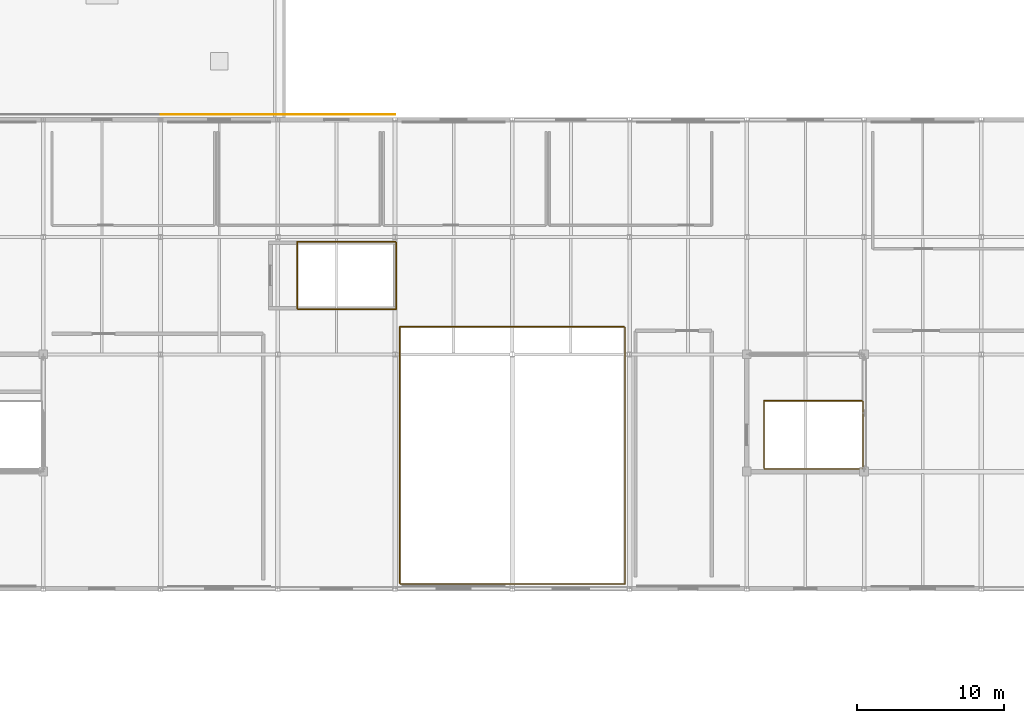
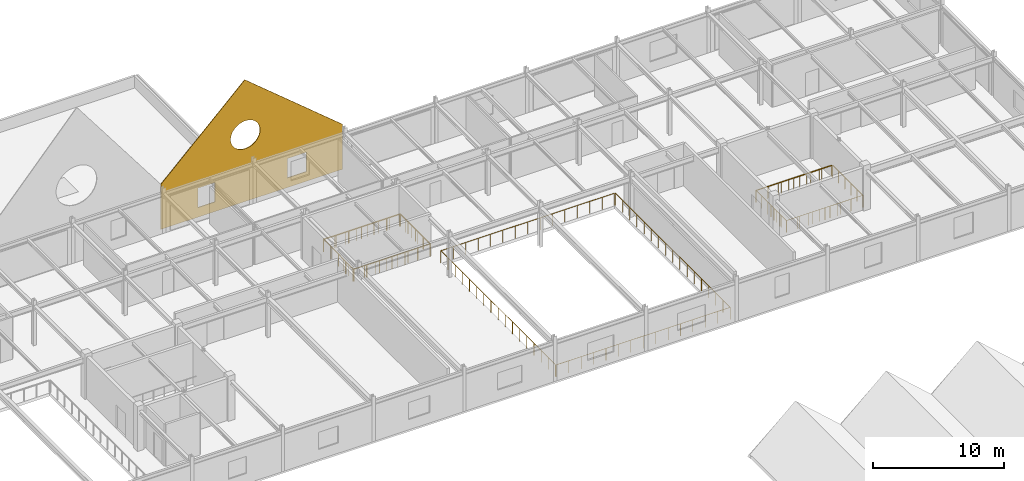
# One storey, part 88 of 88: 8 railings, 1 covering, 3 openings.
"""IFC4 building model written with IfcOpenShell, lengths in metres."""

from ifc_helpers import new_model, si_unit, direction, frame, frame_2d, origin, origin_2d, place, context, subcontext, project, spatial, polyline, rectangle, circle, outline, extrude, material, layer, layer_set, type_object, element, save


model = new_model("IFC4")

# Units and contexts
model_context = context("Model", 3, precision=1e-05, world=origin(), true_north=direction((0.0, 1.0)))
body_context = subcontext(model_context, "Body", "Model", "MODEL_VIEW")
ifc_project = project(units=[si_unit("LENGTHUNIT", "METRE"), si_unit("AREAUNIT", "SQUARE_METRE"), si_unit("VOLUMEUNIT", "CUBIC_METRE"), si_unit("PLANEANGLEUNIT", "RADIAN"), si_unit("MASSUNIT", "GRAM", prefix="KILO")], contexts=[model_context])

# Site, building, storey
site_placement = place(None, origin())
site = spatial("IfcSite", under=ifc_project, at=site_placement, CompositionType="ELEMENT")
building_placement = place(site_placement, origin())
building = spatial("IfcBuilding", under=site, at=building_placement, Name="Zhaolan Boulevard Law Courts", CompositionType="ELEMENT")
storey_placement = place(building_placement, frame((0.0, 0.0, 16.199951171875)))
storey = spatial("IfcBuildingStorey", under=building, at=storey_placement, Name="L03", CompositionType="ELEMENT", Elevation=16.199951171875)

# Railings
ifc_material_1 = material(Name="Powder-coated steel and tempered laminated glass", Category="steel")
railing_type_1 = type_object("IfcRailingType", Name="INTERIOR GUARDRAIL 1150", PredefinedType="GUARDRAIL", material=ifc_material_1)
railing_1_placement = place(storey_placement, frame((141.2099609375, 70.169921875, 0.0)))
element("IfcRailing", 1, at=railing_1_placement, inside=storey, type_object=railing_type_1, Name="Atrium Gallery Guardrail VG-3-V2-3A", PredefinedType="GUARDRAIL", context=body_context, shape_type="SweptSolid", body=[
    extrude(circle(Radius=0.02490234375, at=origin_2d()), frame((0.0, 0.0, 1.125), z_axis=(1.0, 0.0, 0.0), x_axis=(0.0, 1.0, 0.0)), (0.0, 0.0, 1.0), 6.719970703125),
    extrude(circle(Radius=0.02490234375, at=origin_2d()), frame((6.719970703125, 0.0, 1.125), z_axis=(0.0, 1.0, 0.0), x_axis=(-1.0, 0.0, 0.0)), (0.0, 0.0, 1.0), 4.6201171875),
    extrude(circle(Radius=0.02099609375, at=origin_2d()), origin(), (0.0, 0.0, 1.0), 1.099853515625),
    extrude(circle(Radius=0.02099609375, at=origin_2d()), frame((1.1201171875, 0.0, 0.0)), (0.0, 0.0, 1.0), 1.099853515625),
    extrude(circle(Radius=0.02099609375, at=origin_2d()), frame((2.239990234375, 0.0, 0.0)), (0.0, 0.0, 1.0), 1.099853515625),
    extrude(circle(Radius=0.02099609375, at=origin_2d()), frame((3.35986328125, 0.0, 0.0)), (0.0, 0.0, 1.0), 1.099853515625),
    extrude(circle(Radius=0.02099609375, at=origin_2d()), frame((4.47998046875, 0.0, 0.0)), (0.0, 0.0, 1.0), 1.099853515625),
    extrude(circle(Radius=0.02099609375, at=origin_2d()), frame((5.60009765625, 0.0, 0.0)), (0.0, 0.0, 1.0), 1.099853515625),
    extrude(circle(Radius=0.02099609375, at=origin_2d()), frame((6.719970703125, 0.0, 0.0)), (0.0, 0.0, 1.0), 1.099853515625),
    extrude(circle(Radius=0.02099609375, at=origin_2d()), frame((6.719970703125, 0.924072265625, 0.0)), (0.0, 0.0, 1.0), 1.099853515625),
    extrude(circle(Radius=0.02099609375, at=origin_2d()), frame((6.719970703125, 1.84814453125, 0.0)), (0.0, 0.0, 1.0), 1.099853515625),
    extrude(circle(Radius=0.02099609375, at=origin_2d()), frame((6.719970703125, 2.77197265625, 0.0)), (0.0, 0.0, 1.0), 1.099853515625),
    extrude(circle(Radius=0.02099609375, at=origin_2d()), frame((6.719970703125, 3.696044921875, 0.0)), (0.0, 0.0, 1.0), 1.099853515625),
    extrude(circle(Radius=0.02099609375, at=origin_2d()), frame((6.719970703125, 4.6201171875, 0.0)), (0.0, 0.0, 1.0), 1.099853515625),
])
railing_2_placement = place(storey_placement, frame((147.8701171875, 74.830078125, 0.0)))
element("IfcRailing", 2, at=railing_2_placement, inside=storey, type_object=railing_type_1, Name="Atrium Gallery Guardrail VG-3-V2-3B", PredefinedType="GUARDRAIL", context=body_context, shape_type="SweptSolid", body=[
    extrude(circle(Radius=0.02490234375, at=origin_2d()), frame((0.0, 0.0, 1.125), z_axis=(-1.0, 0.0, 0.0), x_axis=(0.0, -1.0, 0.0)), (0.0, 0.0, 1.0), 6.7001953125),
    extrude(circle(Radius=0.02490234375, at=origin_2d()), frame((-6.7001953125, 0.0, 1.125), z_axis=(0.0, -1.0, 0.0), x_axis=(1.0, 0.0, 0.0)), (0.0, 0.0, 1.0), 4.60009765625),
    extrude(circle(Radius=0.02099609375, at=origin_2d()), origin(), (0.0, 0.0, 1.0), 1.099853515625),
    extrude(circle(Radius=0.02099609375, at=origin_2d()), frame((-1.11669921875, 0.0, 0.0)), (0.0, 0.0, 1.0), 1.099853515625),
    extrude(circle(Radius=0.02099609375, at=origin_2d()), frame((-2.2333984375, 0.0, 0.0)), (0.0, 0.0, 1.0), 1.099853515625),
    extrude(circle(Radius=0.02099609375, at=origin_2d()), frame((-3.35009765625, 0.0, 0.0)), (0.0, 0.0, 1.0), 1.099853515625),
    extrude(circle(Radius=0.02099609375, at=origin_2d()), frame((-4.466796875, 0.0, 0.0)), (0.0, 0.0, 1.0), 1.099853515625),
    extrude(circle(Radius=0.02099609375, at=origin_2d()), frame((-5.58349609375, 0.0, 0.0)), (0.0, 0.0, 1.0), 1.099853515625),
    extrude(circle(Radius=0.02099609375, at=origin_2d()), frame((-6.7001953125, 0.0, 0.0)), (0.0, 0.0, 1.0), 1.099853515625),
    extrude(circle(Radius=0.02099609375, at=origin_2d()), frame((-6.7001953125, -0.919921875, 0.0)), (0.0, 0.0, 1.0), 1.099853515625),
    extrude(circle(Radius=0.02099609375, at=origin_2d()), frame((-6.7001953125, -1.840087890625, 0.0)), (0.0, 0.0, 1.0), 1.099853515625),
    extrude(circle(Radius=0.02099609375, at=origin_2d()), frame((-6.7001953125, -2.760009765625, 0.0)), (0.0, 0.0, 1.0), 1.099853515625),
    extrude(circle(Radius=0.02099609375, at=origin_2d()), frame((-6.7001953125, -3.68017578125, 0.0)), (0.0, 0.0, 1.0), 1.099853515625),
    extrude(circle(Radius=0.02099609375, at=origin_2d()), frame((-6.7001953125, -4.60009765625, 0.0)), (0.0, 0.0, 1.0), 1.099853515625),
])
railing_3_placement = place(storey_placement, frame((109.360107421875, 81.070068359375, 0.0)))
element("IfcRailing", 3, at=railing_3_placement, inside=storey, type_object=railing_type_1, Name="Atrium Gallery Guardrail VG-3-V2-4A", PredefinedType="GUARDRAIL", context=body_context, shape_type="SweptSolid", body=[
    extrude(circle(Radius=0.02490234375, at=origin_2d()), frame((0.0, 0.0, 1.125), z_axis=(1.0, 0.0, 0.0), x_axis=(0.0, 1.0, 0.0)), (0.0, 0.0, 1.0), 6.719970703125),
    extrude(circle(Radius=0.02490234375, at=origin_2d()), frame((6.719970703125, 0.0, 1.125), z_axis=(0.0, 1.0, 0.0), x_axis=(-1.0, 0.0, 0.0)), (0.0, 0.0, 1.0), 4.56982421875),
    extrude(circle(Radius=0.02099609375, at=origin_2d()), origin(), (0.0, 0.0, 1.0), 1.099853515625),
    extrude(circle(Radius=0.02099609375, at=origin_2d()), frame((1.1201171875, 0.0, 0.0)), (0.0, 0.0, 1.0), 1.099853515625),
    extrude(circle(Radius=0.02099609375, at=origin_2d()), frame((2.239990234375, 0.0, 0.0)), (0.0, 0.0, 1.0), 1.099853515625),
    extrude(circle(Radius=0.02099609375, at=origin_2d()), frame((3.35986328125, 0.0, 0.0)), (0.0, 0.0, 1.0), 1.099853515625),
    extrude(circle(Radius=0.02099609375, at=origin_2d()), frame((4.47998046875, 0.0, 0.0)), (0.0, 0.0, 1.0), 1.099853515625),
    extrude(circle(Radius=0.02099609375, at=origin_2d()), frame((5.60009765625, 0.0, 0.0)), (0.0, 0.0, 1.0), 1.099853515625),
    extrude(circle(Radius=0.02099609375, at=origin_2d()), frame((6.719970703125, 0.0, 0.0)), (0.0, 0.0, 1.0), 1.099853515625),
    extrude(circle(Radius=0.02099609375, at=origin_2d()), frame((6.719970703125, 1.142578125, 0.0)), (0.0, 0.0, 1.0), 1.099853515625),
    extrude(circle(Radius=0.02099609375, at=origin_2d()), frame((6.719970703125, 2.284912109375, 0.0)), (0.0, 0.0, 1.0), 1.099853515625),
    extrude(circle(Radius=0.02099609375, at=origin_2d()), frame((6.719970703125, 3.42724609375, 0.0)), (0.0, 0.0, 1.0), 1.099853515625),
    extrude(circle(Radius=0.02099609375, at=origin_2d()), frame((6.719970703125, 4.56982421875, 0.0)), (0.0, 0.0, 1.0), 1.099853515625),
])
railing_4_placement = place(storey_placement, frame((116.02001953125, 85.679931640625, 0.0)))
element("IfcRailing", 4, at=railing_4_placement, inside=storey, type_object=railing_type_1, Name="Atrium Gallery Guardrail VG-3-V2-4B", PredefinedType="GUARDRAIL", context=body_context, shape_type="SweptSolid", body=[
    extrude(circle(Radius=0.02490234375, at=origin_2d()), frame((0.0, 0.0, 1.125), z_axis=(-1.0, 0.0, 0.0), x_axis=(0.0, -1.0, 0.0)), (0.0, 0.0, 1.0), 6.699951171875),
    extrude(circle(Radius=0.02490234375, at=origin_2d()), frame((-6.699951171875, 0.0, 1.125), z_axis=(0.0, -1.0, 0.0), x_axis=(1.0, 0.0, 0.0)), (0.0, 0.0, 1.0), 4.550048828125),
    extrude(circle(Radius=0.02099609375, at=origin_2d()), origin(), (0.0, 0.0, 1.0), 1.099853515625),
    extrude(circle(Radius=0.02099609375, at=origin_2d()), frame((-1.11669921875, 0.0, 0.0)), (0.0, 0.0, 1.0), 1.099853515625),
    extrude(circle(Radius=0.02099609375, at=origin_2d()), frame((-2.2333984375, 0.0, 0.0)), (0.0, 0.0, 1.0), 1.099853515625),
    extrude(circle(Radius=0.02099609375, at=origin_2d()), frame((-3.35009765625, 0.0, 0.0)), (0.0, 0.0, 1.0), 1.099853515625),
    extrude(circle(Radius=0.02099609375, at=origin_2d()), frame((-4.466552734375, 0.0, 0.0)), (0.0, 0.0, 1.0), 1.099853515625),
    extrude(circle(Radius=0.02099609375, at=origin_2d()), frame((-5.583251953125, 0.0, 0.0)), (0.0, 0.0, 1.0), 1.099853515625),
    extrude(circle(Radius=0.02099609375, at=origin_2d()), frame((-6.699951171875, 0.0, 0.0)), (0.0, 0.0, 1.0), 1.099853515625),
    extrude(circle(Radius=0.02099609375, at=origin_2d()), frame((-6.699951171875, -1.137451171875, 0.0)), (0.0, 0.0, 1.0), 1.099853515625),
    extrude(circle(Radius=0.02099609375, at=origin_2d()), frame((-6.699951171875, -2.27490234375, 0.0)), (0.0, 0.0, 1.0), 1.099853515625),
    extrude(circle(Radius=0.02099609375, at=origin_2d()), frame((-6.699951171875, -3.41259765625, 0.0)), (0.0, 0.0, 1.0), 1.099853515625),
    extrude(circle(Radius=0.02099609375, at=origin_2d()), frame((-6.699951171875, -4.550048828125, 0.0)), (0.0, 0.0, 1.0), 1.099853515625),
])
railing_5_placement = place(storey_placement, frame((116.360107421875, 62.320068359375, 0.0)))
element("IfcRailing", 5, at=railing_5_placement, inside=storey, type_object=railing_type_1, Name="Atrium Gallery Guardrail VG-3-V2-6A", PredefinedType="GUARDRAIL", context=body_context, shape_type="SweptSolid", body=[
    extrude(circle(Radius=0.02490234375, at=origin_2d()), frame((0.0, 0.0, 1.125), z_axis=(1.0, 0.0, 0.0), x_axis=(0.0, 1.0, 0.0)), (0.0, 0.0, 1.0), 15.31982421875),
    extrude(circle(Radius=0.02490234375, at=origin_2d()), frame((15.31982421875, 0.0, 1.125), z_axis=(0.0, 1.0, 0.0), x_axis=(-1.0, 0.0, 0.0)), (0.0, 0.0, 1.0), 17.52001953125),
    extrude(circle(Radius=0.02099609375, at=origin_2d()), origin(), (0.0, 0.0, 1.0), 1.099853515625),
    extrude(circle(Radius=0.02099609375, at=origin_2d()), frame((1.09423828125, 0.0, 0.0)), (0.0, 0.0, 1.0), 1.099853515625),
    extrude(circle(Radius=0.02099609375, at=origin_2d()), frame((2.1884765625, 0.0, 0.0)), (0.0, 0.0, 1.0), 1.099853515625),
    extrude(circle(Radius=0.02099609375, at=origin_2d()), frame((3.28271484375, 0.0, 0.0)), (0.0, 0.0, 1.0), 1.099853515625),
    extrude(circle(Radius=0.02099609375, at=origin_2d()), frame((4.377197265625, 0.0, 0.0)), (0.0, 0.0, 1.0), 1.099853515625),
    extrude(circle(Radius=0.02099609375, at=origin_2d()), frame((5.471435546875, 0.0, 0.0)), (0.0, 0.0, 1.0), 1.099853515625),
    extrude(circle(Radius=0.02099609375, at=origin_2d()), frame((6.565673828125, 0.0, 0.0)), (0.0, 0.0, 1.0), 1.099853515625),
    extrude(circle(Radius=0.02099609375, at=origin_2d()), frame((7.659912109375, 0.0, 0.0)), (0.0, 0.0, 1.0), 1.099853515625),
    extrude(circle(Radius=0.02099609375, at=origin_2d()), frame((8.754150390625, 0.0, 0.0)), (0.0, 0.0, 1.0), 1.099853515625),
    extrude(circle(Radius=0.02099609375, at=origin_2d()), frame((9.848388671875, 0.0, 0.0)), (0.0, 0.0, 1.0), 1.099853515625),
    extrude(circle(Radius=0.02099609375, at=origin_2d()), frame((10.942626953125, 0.0, 0.0)), (0.0, 0.0, 1.0), 1.099853515625),
    extrude(circle(Radius=0.02099609375, at=origin_2d()), frame((12.037109375, 0.0, 0.0)), (0.0, 0.0, 1.0), 1.099853515625),
    extrude(circle(Radius=0.02099609375, at=origin_2d()), frame((13.13134765625, 0.0, 0.0)), (0.0, 0.0, 1.0), 1.099853515625),
    extrude(circle(Radius=0.02099609375, at=origin_2d()), frame((14.2255859375, 0.0, 0.0)), (0.0, 0.0, 1.0), 1.099853515625),
    extrude(circle(Radius=0.02099609375, at=origin_2d()), frame((15.31982421875, 0.0, 0.0)), (0.0, 0.0, 1.0), 1.099853515625),
    extrude(circle(Radius=0.02099609375, at=origin_2d()), frame((15.31982421875, 1.094970703125, 0.0)), (0.0, 0.0, 1.0), 1.099853515625),
    extrude(circle(Radius=0.02099609375, at=origin_2d()), frame((15.31982421875, 2.18994140625, 0.0)), (0.0, 0.0, 1.0), 1.099853515625),
    extrude(circle(Radius=0.02099609375, at=origin_2d()), frame((15.31982421875, 3.284912109375, 0.0)), (0.0, 0.0, 1.0), 1.099853515625),
    extrude(circle(Radius=0.02099609375, at=origin_2d()), frame((15.31982421875, 4.3798828125, 0.0)), (0.0, 0.0, 1.0), 1.099853515625),
    extrude(circle(Radius=0.02099609375, at=origin_2d()), frame((15.31982421875, 5.47509765625, 0.0)), (0.0, 0.0, 1.0), 1.099853515625),
    extrude(circle(Radius=0.02099609375, at=origin_2d()), frame((15.31982421875, 6.570068359375, 0.0)), (0.0, 0.0, 1.0), 1.099853515625),
    extrude(circle(Radius=0.02099609375, at=origin_2d()), frame((15.31982421875, 7.6650390625, 0.0)), (0.0, 0.0, 1.0), 1.099853515625),
    extrude(circle(Radius=0.02099609375, at=origin_2d()), frame((15.31982421875, 8.760009765625, 0.0)), (0.0, 0.0, 1.0), 1.099853515625),
    extrude(circle(Radius=0.02099609375, at=origin_2d()), frame((15.31982421875, 9.85498046875, 0.0)), (0.0, 0.0, 1.0), 1.099853515625),
    extrude(circle(Radius=0.02099609375, at=origin_2d()), frame((15.31982421875, 10.949951171875, 0.0)), (0.0, 0.0, 1.0), 1.099853515625),
    extrude(circle(Radius=0.02099609375, at=origin_2d()), frame((15.31982421875, 12.044921875, 0.0)), (0.0, 0.0, 1.0), 1.099853515625),
    extrude(circle(Radius=0.02099609375, at=origin_2d()), frame((15.31982421875, 13.14013671875, 0.0)), (0.0, 0.0, 1.0), 1.099853515625),
    extrude(circle(Radius=0.02099609375, at=origin_2d()), frame((15.31982421875, 14.235107421875, 0.0)), (0.0, 0.0, 1.0), 1.099853515625),
    extrude(circle(Radius=0.02099609375, at=origin_2d()), frame((15.31982421875, 15.330078125, 0.0)), (0.0, 0.0, 1.0), 1.099853515625),
    extrude(circle(Radius=0.02099609375, at=origin_2d()), frame((15.31982421875, 16.425048828125, 0.0)), (0.0, 0.0, 1.0), 1.099853515625),
    extrude(circle(Radius=0.02099609375, at=origin_2d()), frame((15.31982421875, 17.52001953125, 0.0)), (0.0, 0.0, 1.0), 1.099853515625),
])
railing_6_placement = place(storey_placement, frame((131.6201171875, 79.8798828125, 0.0)))
element("IfcRailing", 6, at=railing_6_placement, inside=storey, type_object=railing_type_1, Name="Atrium Gallery Guardrail VG-3-V2-6B", PredefinedType="GUARDRAIL", context=body_context, shape_type="SweptSolid", body=[
    extrude(circle(Radius=0.02490234375, at=origin_2d()), frame((0.0, 0.0, 1.125), z_axis=(-1.0, 0.0, 0.0), x_axis=(0.0, -1.0, 0.0)), (0.0, 0.0, 1.0), 15.300048828125),
    extrude(circle(Radius=0.02490234375, at=origin_2d()), frame((-15.300048828125, 0.0, 1.125), z_axis=(0.0, -1.0, 0.0), x_axis=(1.0, 0.0, 0.0)), (0.0, 0.0, 1.0), 17.5),
    extrude(circle(Radius=0.02099609375, at=origin_2d()), origin(), (0.0, 0.0, 1.0), 1.099853515625),
    extrude(circle(Radius=0.02099609375, at=origin_2d()), frame((-1.0927734375, 0.0, 0.0)), (0.0, 0.0, 1.0), 1.099853515625),
    extrude(circle(Radius=0.02099609375, at=origin_2d()), frame((-2.185791015625, 0.0, 0.0)), (0.0, 0.0, 1.0), 1.099853515625),
    extrude(circle(Radius=0.02099609375, at=origin_2d()), frame((-3.278564453125, 0.0, 0.0)), (0.0, 0.0, 1.0), 1.099853515625),
    extrude(circle(Radius=0.02099609375, at=origin_2d()), frame((-4.371337890625, 0.0, 0.0)), (0.0, 0.0, 1.0), 1.099853515625),
    extrude(circle(Radius=0.02099609375, at=origin_2d()), frame((-5.46435546875, 0.0, 0.0)), (0.0, 0.0, 1.0), 1.099853515625),
    extrude(circle(Radius=0.02099609375, at=origin_2d()), frame((-6.55712890625, 0.0, 0.0)), (0.0, 0.0, 1.0), 1.099853515625),
    extrude(circle(Radius=0.02099609375, at=origin_2d()), frame((-7.64990234375, 0.0, 0.0)), (0.0, 0.0, 1.0), 1.099853515625),
    extrude(circle(Radius=0.02099609375, at=origin_2d()), frame((-8.742919921875, 0.0, 0.0)), (0.0, 0.0, 1.0), 1.099853515625),
    extrude(circle(Radius=0.02099609375, at=origin_2d()), frame((-9.835693359375, 0.0, 0.0)), (0.0, 0.0, 1.0), 1.099853515625),
    extrude(circle(Radius=0.02099609375, at=origin_2d()), frame((-10.9287109375, 0.0, 0.0)), (0.0, 0.0, 1.0), 1.099853515625),
    extrude(circle(Radius=0.02099609375, at=origin_2d()), frame((-12.021484375, 0.0, 0.0)), (0.0, 0.0, 1.0), 1.099853515625),
    extrude(circle(Radius=0.02099609375, at=origin_2d()), frame((-13.1142578125, 0.0, 0.0)), (0.0, 0.0, 1.0), 1.099853515625),
    extrude(circle(Radius=0.02099609375, at=origin_2d()), frame((-14.207275390625, 0.0, 0.0)), (0.0, 0.0, 1.0), 1.099853515625),
    extrude(circle(Radius=0.02099609375, at=origin_2d()), frame((-15.300048828125, 0.0, 0.0)), (0.0, 0.0, 1.0), 1.099853515625),
    extrude(circle(Radius=0.02099609375, at=origin_2d()), frame((-15.300048828125, -1.09375, 0.0)), (0.0, 0.0, 1.0), 1.099853515625),
    extrude(circle(Radius=0.02099609375, at=origin_2d()), frame((-15.300048828125, -2.1875, 0.0)), (0.0, 0.0, 1.0), 1.099853515625),
    extrude(circle(Radius=0.02099609375, at=origin_2d()), frame((-15.300048828125, -3.28125, 0.0)), (0.0, 0.0, 1.0), 1.099853515625),
    extrude(circle(Radius=0.02099609375, at=origin_2d()), frame((-15.300048828125, -4.375, 0.0)), (0.0, 0.0, 1.0), 1.099853515625),
    extrude(circle(Radius=0.02099609375, at=origin_2d()), frame((-15.300048828125, -5.46875, 0.0)), (0.0, 0.0, 1.0), 1.099853515625),
    extrude(circle(Radius=0.02099609375, at=origin_2d()), frame((-15.300048828125, -6.5625, 0.0)), (0.0, 0.0, 1.0), 1.099853515625),
    extrude(circle(Radius=0.02099609375, at=origin_2d()), frame((-15.300048828125, -7.65625, 0.0)), (0.0, 0.0, 1.0), 1.099853515625),
    extrude(circle(Radius=0.02099609375, at=origin_2d()), frame((-15.300048828125, -8.75, 0.0)), (0.0, 0.0, 1.0), 1.099853515625),
    extrude(circle(Radius=0.02099609375, at=origin_2d()), frame((-15.300048828125, -9.84375, 0.0)), (0.0, 0.0, 1.0), 1.099853515625),
    extrude(circle(Radius=0.02099609375, at=origin_2d()), frame((-15.300048828125, -10.9375, 0.0)), (0.0, 0.0, 1.0), 1.099853515625),
    extrude(circle(Radius=0.02099609375, at=origin_2d()), frame((-15.300048828125, -12.03125, 0.0)), (0.0, 0.0, 1.0), 1.099853515625),
    extrude(circle(Radius=0.02099609375, at=origin_2d()), frame((-15.300048828125, -13.125, 0.0)), (0.0, 0.0, 1.0), 1.099853515625),
    extrude(circle(Radius=0.02099609375, at=origin_2d()), frame((-15.300048828125, -14.21875, 0.0)), (0.0, 0.0, 1.0), 1.099853515625),
    extrude(circle(Radius=0.02099609375, at=origin_2d()), frame((-15.300048828125, -15.3125, 0.0)), (0.0, 0.0, 1.0), 1.099853515625),
    extrude(circle(Radius=0.02099609375, at=origin_2d()), frame((-15.300048828125, -16.40625, 0.0)), (0.0, 0.0, 1.0), 1.099853515625),
    extrude(circle(Radius=0.02099609375, at=origin_2d()), frame((-15.300048828125, -17.5, 0.0)), (0.0, 0.0, 1.0), 1.099853515625),
])
ifc_material_2 = material(Name="Powder-coated steel baluster guardrail", Category="steel")
railing_type_2 = type_object("IfcRailingType", Name="STAIR WELL GUARDRAIL 1120", PredefinedType="GUARDRAIL", material=ifc_material_2)
railing_7_placement = place(storey_placement, frame((141.18994140625, 72.56005859375, 0.0)))
element("IfcRailing", 7, at=railing_7_placement, inside=storey, type_object=railing_type_2, Name="Stair-Well Floor Guardrail WG-ST09-L02", PredefinedType="GUARDRAIL", context=body_context, shape_type="SweptSolid", body=[
    extrude(circle(Radius=0.02392578125, at=origin_2d()), frame((0.0, 0.0, 1.09619140625), z_axis=(0.0, -1.0, 0.0), x_axis=(1.0, 0.0, 0.0)), (0.0, 0.0, 1.0), 2.360107421875),
    extrude(circle(Radius=0.02392578125, at=origin_2d()), frame((0.0, -2.360107421875, 1.09619140625), z_axis=(1.0, 0.0, 0.0), x_axis=(0.0, 1.0, 0.0)), (0.0, 0.0, 1.0), 6.7099609375),
    extrude(circle(Radius=0.02392578125, at=origin_2d()), frame((6.7099609375, -2.360107421875, 1.09619140625), z_axis=(0.0, 1.0, 0.0), x_axis=(-1.0, 0.0, 0.0)), (0.0, 0.0, 1.0), 4.60009765625),
    extrude(circle(Radius=0.02392578125, at=origin_2d()), frame((6.7099609375, 2.239990234375, 1.09619140625), z_axis=(-1.0, 0.0, 0.0), x_axis=(0.0, -1.0, 0.0)), (0.0, 0.0, 1.0), 6.7099609375),
    extrude(circle(Radius=0.02392578125, at=origin_2d()), frame((0.0, 2.239990234375, 1.09619140625), z_axis=(0.0, 1.0, 0.0), x_axis=(-1.0, 0.0, 0.0)), (0.0, 0.0, 1.0), 0.02001953125),
    extrude(circle(Radius=0.02099609375, at=origin_2d()), origin(), (0.0, 0.0, 1.0), 1.072021484375),
    extrude(circle(Radius=0.02099609375, at=origin_2d()), frame((0.0, -0.78662109375, 0.0)), (0.0, 0.0, 1.0), 1.072021484375),
    extrude(circle(Radius=0.02099609375, at=origin_2d()), frame((0.0, -1.573486328125, 0.0)), (0.0, 0.0, 1.0), 1.072021484375),
    extrude(circle(Radius=0.02099609375, at=origin_2d()), frame((0.0, -2.360107421875, 0.0)), (0.0, 0.0, 1.0), 1.072021484375),
    extrude(circle(Radius=0.02099609375, at=origin_2d()), frame((0.95849609375, -2.360107421875, 0.0)), (0.0, 0.0, 1.0), 1.072021484375),
    extrude(circle(Radius=0.02099609375, at=origin_2d()), frame((1.917236328125, -2.360107421875, 0.0)), (0.0, 0.0, 1.0), 1.072021484375),
    extrude(circle(Radius=0.02099609375, at=origin_2d()), frame((2.875732421875, -2.360107421875, 0.0)), (0.0, 0.0, 1.0), 1.072021484375),
    extrude(circle(Radius=0.02099609375, at=origin_2d()), frame((3.834228515625, -2.360107421875, 0.0)), (0.0, 0.0, 1.0), 1.072021484375),
    extrude(circle(Radius=0.02099609375, at=origin_2d()), frame((4.792724609375, -2.360107421875, 0.0)), (0.0, 0.0, 1.0), 1.072021484375),
    extrude(circle(Radius=0.02099609375, at=origin_2d()), frame((5.75146484375, -2.360107421875, 0.0)), (0.0, 0.0, 1.0), 1.072021484375),
    extrude(circle(Radius=0.02099609375, at=origin_2d()), frame((6.7099609375, -2.360107421875, 0.0)), (0.0, 0.0, 1.0), 1.072021484375),
    extrude(circle(Radius=0.02099609375, at=origin_2d()), frame((6.7099609375, -1.440185546875, 0.0)), (0.0, 0.0, 1.0), 1.072021484375),
    extrude(circle(Radius=0.02099609375, at=origin_2d()), frame((6.7099609375, -0.52001953125, 0.0)), (0.0, 0.0, 1.0), 1.072021484375),
    extrude(circle(Radius=0.02099609375, at=origin_2d()), frame((6.7099609375, 0.39990234375, 0.0)), (0.0, 0.0, 1.0), 1.072021484375),
    extrude(circle(Radius=0.02099609375, at=origin_2d()), frame((6.7099609375, 1.320068359375, 0.0)), (0.0, 0.0, 1.0), 1.072021484375),
    extrude(circle(Radius=0.02099609375, at=origin_2d()), frame((6.7099609375, 2.239990234375, 0.0)), (0.0, 0.0, 1.0), 1.072021484375),
    extrude(circle(Radius=0.02099609375, at=origin_2d()), frame((5.75146484375, 2.239990234375, 0.0)), (0.0, 0.0, 1.0), 1.072021484375),
    extrude(circle(Radius=0.02099609375, at=origin_2d()), frame((4.792724609375, 2.239990234375, 0.0)), (0.0, 0.0, 1.0), 1.072021484375),
    extrude(circle(Radius=0.02099609375, at=origin_2d()), frame((3.834228515625, 2.239990234375, 0.0)), (0.0, 0.0, 1.0), 1.072021484375),
    extrude(circle(Radius=0.02099609375, at=origin_2d()), frame((2.875732421875, 2.239990234375, 0.0)), (0.0, 0.0, 1.0), 1.072021484375),
    extrude(circle(Radius=0.02099609375, at=origin_2d()), frame((1.917236328125, 2.239990234375, 0.0)), (0.0, 0.0, 1.0), 1.072021484375),
    extrude(circle(Radius=0.02099609375, at=origin_2d()), frame((0.95849609375, 2.239990234375, 0.0)), (0.0, 0.0, 1.0), 1.072021484375),
    extrude(circle(Radius=0.02099609375, at=origin_2d()), frame((0.0, 2.239990234375, 0.0)), (0.0, 0.0, 1.0), 1.072021484375),
    extrude(circle(Radius=0.02099609375, at=origin_2d()), frame((0.0, 2.260009765625, 0.0)), (0.0, 0.0, 1.0), 1.072021484375),
])
railing_8_placement = place(storey_placement, frame((109.340087890625, 83.429931640625, 0.0)))
element("IfcRailing", 8, at=railing_8_placement, inside=storey, type_object=railing_type_2, Name="Stair-Well Floor Guardrail WG-ST13-L02", PredefinedType="GUARDRAIL", context=body_context, shape_type="SweptSolid", body=[
    extrude(circle(Radius=0.02392578125, at=origin_2d()), frame((0.0, 0.0, 1.09619140625), z_axis=(0.0, -1.0, 0.0), x_axis=(1.0, 0.0, 0.0)), (0.0, 0.0, 1.0), 2.329833984375),
    extrude(circle(Radius=0.02392578125, at=origin_2d()), frame((0.0, -2.329833984375, 1.09619140625), z_axis=(1.0, 0.0, 0.0), x_axis=(0.0, 1.0, 0.0)), (0.0, 0.0, 1.0), 6.7099609375),
    extrude(circle(Radius=0.02392578125, at=origin_2d()), frame((6.7099609375, -2.329833984375, 1.09619140625), z_axis=(0.0, 1.0, 0.0), x_axis=(-1.0, 0.0, 0.0)), (0.0, 0.0, 1.0), 4.5498046875),
    extrude(circle(Radius=0.02392578125, at=origin_2d()), frame((6.7099609375, 2.219970703125, 1.09619140625), z_axis=(-1.0, 0.0, 0.0), x_axis=(0.0, -1.0, 0.0)), (0.0, 0.0, 1.0), 6.7099609375),
    extrude(circle(Radius=0.02392578125, at=origin_2d()), frame((0.0, 2.219970703125, 1.09619140625), z_axis=(0.0, 1.0, 0.0), x_axis=(-1.0, 0.0, 0.0)), (0.0, 0.0, 1.0), 0.010009765625),
    extrude(circle(Radius=0.02099609375, at=origin_2d()), origin(), (0.0, 0.0, 1.0), 1.072021484375),
    extrude(circle(Radius=0.02099609375, at=origin_2d()), frame((0.0, -0.776611328125, 0.0)), (0.0, 0.0, 1.0), 1.072021484375),
    extrude(circle(Radius=0.02099609375, at=origin_2d()), frame((0.0, -1.55322265625, 0.0)), (0.0, 0.0, 1.0), 1.072021484375),
    extrude(circle(Radius=0.02099609375, at=origin_2d()), frame((0.0, -2.329833984375, 0.0)), (0.0, 0.0, 1.0), 1.072021484375),
    extrude(circle(Radius=0.02099609375, at=origin_2d()), frame((0.95849609375, -2.329833984375, 0.0)), (0.0, 0.0, 1.0), 1.072021484375),
    extrude(circle(Radius=0.02099609375, at=origin_2d()), frame((1.917236328125, -2.329833984375, 0.0)), (0.0, 0.0, 1.0), 1.072021484375),
    extrude(circle(Radius=0.02099609375, at=origin_2d()), frame((2.875732421875, -2.329833984375, 0.0)), (0.0, 0.0, 1.0), 1.072021484375),
    extrude(circle(Radius=0.02099609375, at=origin_2d()), frame((3.834228515625, -2.329833984375, 0.0)), (0.0, 0.0, 1.0), 1.072021484375),
    extrude(circle(Radius=0.02099609375, at=origin_2d()), frame((4.792724609375, -2.329833984375, 0.0)), (0.0, 0.0, 1.0), 1.072021484375),
    extrude(circle(Radius=0.02099609375, at=origin_2d()), frame((5.75146484375, -2.329833984375, 0.0)), (0.0, 0.0, 1.0), 1.072021484375),
    extrude(circle(Radius=0.02099609375, at=origin_2d()), frame((6.7099609375, -2.329833984375, 0.0)), (0.0, 0.0, 1.0), 1.072021484375),
    extrude(circle(Radius=0.02099609375, at=origin_2d()), frame((6.7099609375, -1.419921875, 0.0)), (0.0, 0.0, 1.0), 1.072021484375),
    extrude(circle(Radius=0.02099609375, at=origin_2d()), frame((6.7099609375, -0.510009765625, 0.0)), (0.0, 0.0, 1.0), 1.072021484375),
    extrude(circle(Radius=0.02099609375, at=origin_2d()), frame((6.7099609375, 0.400146484375, 0.0)), (0.0, 0.0, 1.0), 1.072021484375),
    extrude(circle(Radius=0.02099609375, at=origin_2d()), frame((6.7099609375, 1.31005859375, 0.0)), (0.0, 0.0, 1.0), 1.072021484375),
    extrude(circle(Radius=0.02099609375, at=origin_2d()), frame((6.7099609375, 2.219970703125, 0.0)), (0.0, 0.0, 1.0), 1.072021484375),
    extrude(circle(Radius=0.02099609375, at=origin_2d()), frame((5.75146484375, 2.219970703125, 0.0)), (0.0, 0.0, 1.0), 1.072021484375),
    extrude(circle(Radius=0.02099609375, at=origin_2d()), frame((4.792724609375, 2.219970703125, 0.0)), (0.0, 0.0, 1.0), 1.072021484375),
    extrude(circle(Radius=0.02099609375, at=origin_2d()), frame((3.834228515625, 2.219970703125, 0.0)), (0.0, 0.0, 1.0), 1.072021484375),
    extrude(circle(Radius=0.02099609375, at=origin_2d()), frame((2.875732421875, 2.219970703125, 0.0)), (0.0, 0.0, 1.0), 1.072021484375),
    extrude(circle(Radius=0.02099609375, at=origin_2d()), frame((1.917236328125, 2.219970703125, 0.0)), (0.0, 0.0, 1.0), 1.072021484375),
    extrude(circle(Radius=0.02099609375, at=origin_2d()), frame((0.95849609375, 2.219970703125, 0.0)), (0.0, 0.0, 1.0), 1.072021484375),
    extrude(circle(Radius=0.02099609375, at=origin_2d()), frame((0.0, 2.219970703125, 0.0)), (0.0, 0.0, 1.0), 1.072021484375),
    extrude(circle(Radius=0.02099609375, at=origin_2d()), frame((0.0, 2.22998046875, 0.0)), (0.0, 0.0, 1.0), 1.072021484375),
])

# Covering, openings
ifc_material_3 = material(Name="Pale mist-grey standing-seam Al-Mg-Mn zinc-titanium")
ifc_layer = layer(ifc_material_3, 0.050048828125)
ifc_layer_set = layer_set([ifc_layer])
covering_type = type_object("IfcCoveringType", Name="STANDING SEAM CLADDING 50", PredefinedType="CLADDING", material=ifc_layer_set)
covering_placement = place(storey_placement, frame((116.0, 94.364990234375, 0.050048828125), z_axis=(0.0, 0.0, 1.0), x_axis=(-1.0, 0.0, 0.0)))
covering = element("IfcCovering", 9, at=covering_placement, inside=storey, type_object=covering_type, Name="Standing-Seam Metal Wall Wrap SSC-014", PredefinedType="CLADDING", context=body_context, shape_type="SweptSolid", body=[
    extrude(outline(polyline([(0.0, 0.0), (16.0, 0.0), (16.0, 4.199951171875), (8.60009765625, 11.35009765625), (0.0, 4.199951171875), (0.0, 0.0)])), frame((0.0, 0.02490234375, 0.0), z_axis=(0.0, -1.0, 0.0), x_axis=(1.0, 0.0, 0.0)), (0.0, 0.0, 1.0), 0.050048828125),
])
opening_1_placement = place(storey_placement, frame((104.75, 94.364990234375, 0.949951171875), z_axis=(0.0, 0.0, 1.0), x_axis=(-1.0, 0.0, 0.0)))
element("IfcOpeningElement", 10, at=opening_1_placement, cuts=covering, Name="Cladding Void WIN-L03-147", PredefinedType="OPENING", context=body_context, shape_type="SweptSolid", body=[
    extrude(rectangle(XDim=1.5, YDim=1.800048828125, at=frame_2d((0.75, 0.89990234375))), frame((0.0, 0.14990234375, 0.0), z_axis=(0.0, -1.0, 0.0), x_axis=(1.0, 0.0, 0.0)), (0.0, 0.0, 1.0), 0.300048828125),
])
opening_2_placement = place(storey_placement, frame((112.824951171875, 94.364990234375, 0.949951171875), z_axis=(0.0, 0.0, 1.0), x_axis=(-1.0, 0.0, 0.0)))
element("IfcOpeningElement", 11, at=opening_2_placement, cuts=covering, Name="Cladding Void WIN-L03-148", PredefinedType="OPENING", context=body_context, shape_type="SweptSolid", body=[
    extrude(rectangle(XDim=1.64990234375, YDim=1.800048828125, at=frame_2d((0.824951171875, 0.89990234375))), frame((0.0, 0.14990234375, 0.0), z_axis=(0.0, -1.0, 0.0), x_axis=(1.0, 0.0, 0.0)), (0.0, 0.0, 1.0), 0.300048828125),
])
opening_3_placement = place(storey_placement, frame((108.740966796875, 94.364990234375, 4.969970703125), z_axis=(0.0, 0.0, 1.0), x_axis=(-1.0, 0.0, 0.0)))
element("IfcOpeningElement", 12, at=opening_3_placement, cuts=covering, Name="Cladding Void OC-T4N", PredefinedType="OPENING", context=body_context, shape_type="SweptSolid", body=[
    extrude(outline(polyline([(2.60009765625, 1.300048828125), (2.580322265625, 1.525634765625), (2.521484375, 1.74462890625), (2.42578125, 1.949951171875), (2.2958984375, 2.1357421875), (2.1357421875, 2.2958984375), (1.949951171875, 2.42578125), (1.74462890625, 2.521484375), (1.525634765625, 2.580322265625), (1.300048828125, 2.60009765625), (1.07421875, 2.580322265625), (0.85546875, 2.521484375), (0.64990234375, 2.42578125), (0.46435546875, 2.2958984375), (0.30419921875, 2.1357421875), (0.174072265625, 1.949951171875), (0.078369140625, 1.74462890625), (0.019775390625, 1.525634765625), (0.0, 1.300048828125), (0.019775390625, 1.07421875), (0.078369140625, 0.85546875), (0.174072265625, 0.64990234375), (0.30419921875, 0.46435546875), (0.46435546875, 0.30419921875), (0.64990234375, 0.174072265625), (0.85546875, 0.078369140625), (1.07421875, 0.019775390625), (1.300048828125, 0.0), (1.525634765625, 0.019775390625), (1.74462890625, 0.078369140625), (1.949951171875, 0.174072265625), (2.1357421875, 0.30419921875), (2.2958984375, 0.46435546875), (2.42578125, 0.64990234375), (2.521484375, 0.85546875), (2.580322265625, 1.07421875), (2.60009765625, 1.300048828125)])), frame((0.0, 0.14990234375, 0.0), z_axis=(0.0, -1.0, 0.0), x_axis=(1.0, 0.0, 0.0)), (0.0, 0.0, 1.0), 0.300048828125),
])

save(model, "model.ifc")
